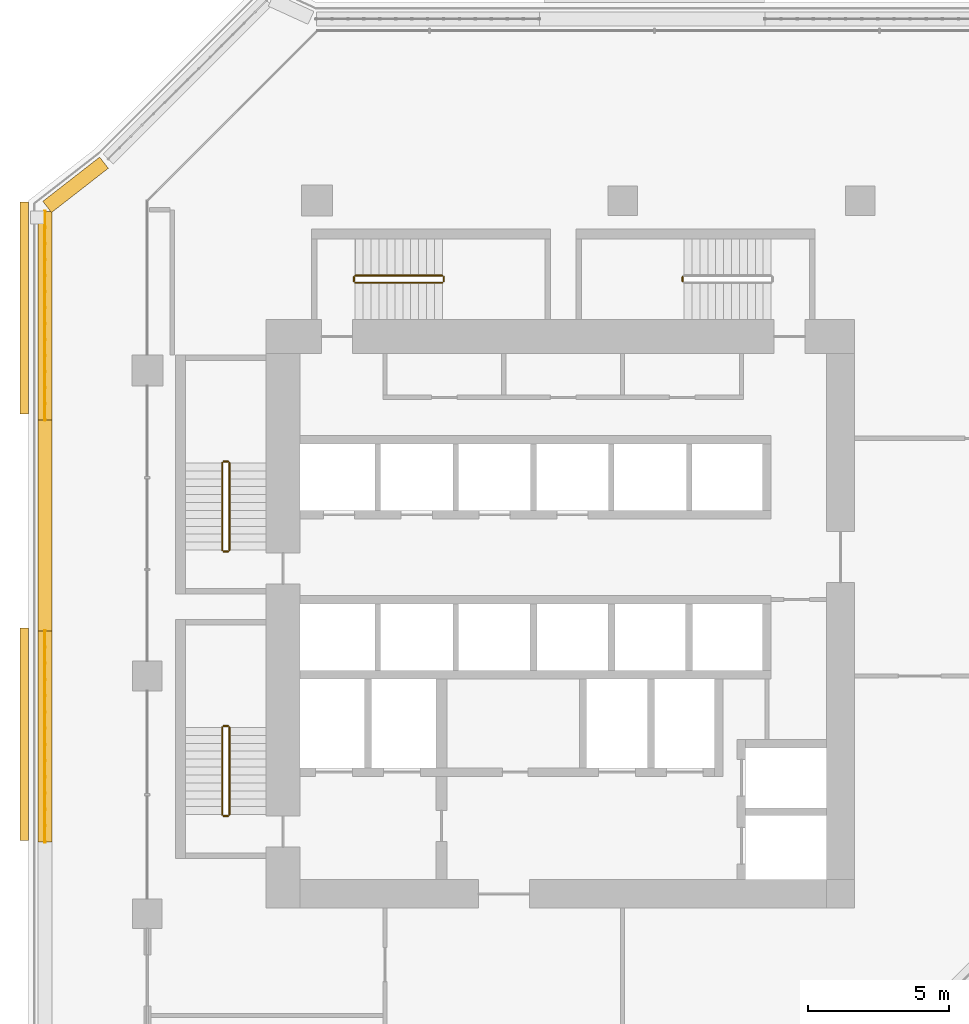
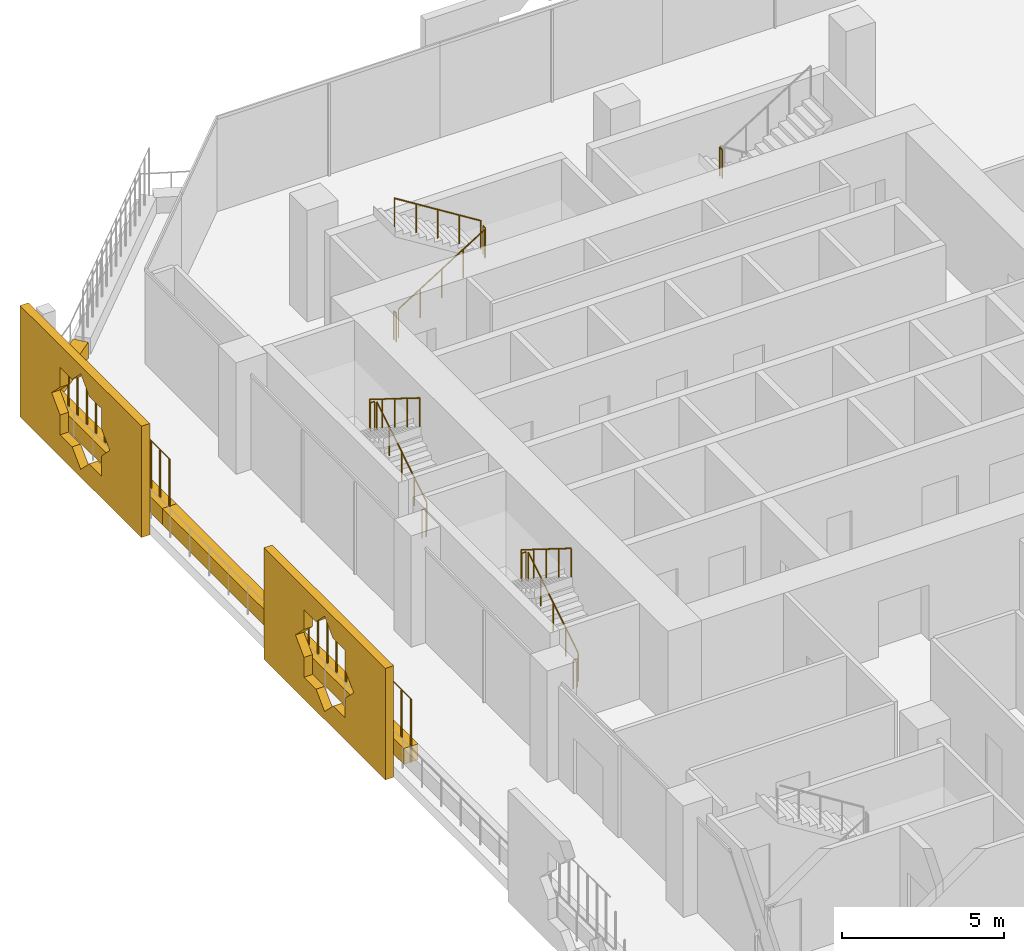
# One storey, part 21 of 25: 15 railings, 6 coverings.
"""IFC4 building model written with IfcOpenShell, lengths in metres."""

import ifcopenshell
import ifcopenshell.guid

model = None  # the IFC model being written
_history = None  # IfcOwnerHistory: only IFC2X3 demands one
_inside = {}  # id of a spatial element -> (the spatial element, [elements in it])
_under = {}  # id of a project, library or spatial element -> (it, [spatial elements below it])
_declared = {}  # id of a project -> (the project, [libraries it declares])
_typed = {}  # id of a type object -> (the type object, [elements of that type])
_made_of = {}  # id of a material, layer set ... -> (it, [elements and type objects made of it])


def new_model(schema):
    """Start an empty IFC model of exactly this schema.

    Asked for "IFC4X3", IfcOpenShell would pick the latest addendum, in which some entities
    have other attributes; the version numbers below select the first issue.
    IFC2X3 requires an IfcOwnerHistory on every rooted entity: one is made here for all.
    """
    global model, _history
    if schema == "IFC4X3":
        model = ifcopenshell.file(schema_version=(4, 3, 0, 0))
    else:
        model = ifcopenshell.file(schema=schema)
    _inside.clear()
    _under.clear()
    _declared.clear()
    _typed.clear()
    _made_of.clear()
    _history = None
    if model.schema == "IFC2X3":
        org = make("IfcOrganization", Name="unknown")
        user = make(
            "IfcPersonAndOrganization",
            ThePerson=make("IfcPerson", FamilyName="unknown"),
            TheOrganization=org,
        )
        app = make(
            "IfcApplication",
            ApplicationDeveloper=org,
            Version="unknown",
            ApplicationFullName="unknown",
            ApplicationIdentifier="unknown",
        )
        _history = make(
            "IfcOwnerHistory",
            OwningUser=user,
            OwningApplication=app,
            ChangeAction="ADDED",
            CreationDate=0,
        )
    return model


def make(cls, **values):
    """One entity of the class cls with the attributes given. An attribute that is None is left unset."""
    return model.create_entity(
        cls, **{name: value for name, value in values.items() if value is not None}
    )


def rooted(cls, **values):
    """An entity with a GlobalId (a new one), such as an element, a storey or a relation."""
    return make(cls, GlobalId=ifcopenshell.guid.new(), OwnerHistory=_history, **values)


def si_unit(unit_type, name, prefix=None):
    """IfcSIUnit, for example si_unit("LENGTHUNIT", "METRE", prefix="MILLI")."""
    return make("IfcSIUnit", UnitType=unit_type, Prefix=prefix, Name=name)


def assignment(units):
    """IfcUnitAssignment: the units of a project."""
    return None if units is None else make("IfcUnitAssignment", Units=units)


def point(xyz):
    """IfcCartesianPoint."""
    return None if xyz is None else make("IfcCartesianPoint", Coordinates=xyz)


def direction(xyz):
    """IfcDirection."""
    return None if xyz is None else make("IfcDirection", DirectionRatios=xyz)


def frame(location, z_axis=None, x_axis=None):
    """IfcAxis2Placement3D, a coordinate frame: its origin and axes. An axis left out is left unset."""
    return make(
        "IfcAxis2Placement3D",
        Location=point(location),
        Axis=direction(z_axis),
        RefDirection=direction(x_axis),
    )


def frame_2d(location, x_axis=None):
    """IfcAxis2Placement2D, a coordinate frame in the plane: its origin and x axis."""
    return make(
        "IfcAxis2Placement2D", Location=point(location), RefDirection=direction(x_axis)
    )


def origin():
    """The frame at (0, 0, 0) with its axes left unset."""
    return frame((0.0, 0.0, 0.0))


def origin_2d():
    """The frame at (0, 0) in the plane with its x axis left unset."""
    return frame_2d((0.0, 0.0))


def place(relative_to, where):
    """IfcLocalPlacement: puts the frame where relative to a parent placement (None: the world)."""
    return make(
        "IfcLocalPlacement", PlacementRelTo=relative_to, RelativePlacement=where
    )


def context(
    kind, dimensions, precision=None, world=None, true_north=None, identifier=None
):
    """IfcGeometricRepresentationContext, for example the 3D "Model" context."""
    return make(
        "IfcGeometricRepresentationContext",
        ContextIdentifier=identifier,
        ContextType=kind,
        CoordinateSpaceDimension=dimensions,
        Precision=precision,
        WorldCoordinateSystem=world,
        TrueNorth=true_north,
    )


def subcontext(parent, identifier, kind, view, scale=None):
    """IfcGeometricRepresentationSubContext, for example "Body" below "Model"."""
    return make(
        "IfcGeometricRepresentationSubContext",
        ContextIdentifier=identifier,
        ContextType=kind,
        ParentContext=parent,
        TargetScale=scale,
        TargetView=view,
    )


def project(units=None, contexts=None):
    """IfcProject with its units and contexts."""
    return rooted(
        "IfcProject",
        Name="project",
        RepresentationContexts=contexts,
        UnitsInContext=assignment(units),
    )


def spatial(cls, under=None, at=None, **own):
    """A site, building, storey or space (cls), placed at a placement, below another one or the project."""
    s = rooted(cls, ObjectPlacement=at, **own)
    if under is not None:
        _under.setdefault(under.id(), (under, []))[1].append(s)
    return s


def polyline(points):
    """IfcPolyline through the points."""
    return make("IfcPolyline", Points=[point(p) for p in points])


def profile(cls, at=None, kind="AREA", **sizes):
    """A parametric profile (cls). Its sizes go by their IFC names, for example OverallWidth=200.0."""
    return make(cls, ProfileType=kind, Position=at, **sizes)


def rectangle(**sizes):
    """IfcRectangleProfileDef."""
    return profile("IfcRectangleProfileDef", **sizes)


def circle(**sizes):
    """IfcCircleProfileDef."""
    return profile("IfcCircleProfileDef", **sizes)


def outline(outer, holes=None, kind="AREA"):
    """IfcArbitraryClosedProfileDef: a profile drawn as a closed curve; with holes, ...WithVoids."""
    if holes is None:
        return make("IfcArbitraryClosedProfileDef", ProfileType=kind, OuterCurve=outer)
    return make(
        "IfcArbitraryProfileDefWithVoids",
        ProfileType=kind,
        OuterCurve=outer,
        InnerCurves=holes,
    )


def extrude(swept, where, along, depth):
    """IfcExtrudedAreaSolid: the profile swept, set in the frame where, extruded along a direction by depth."""
    return make(
        "IfcExtrudedAreaSolid",
        SweptArea=swept,
        Position=where,
        ExtrudedDirection=direction(along),
        Depth=depth,
    )


def shape(context_of_items, identifier, shape_type, items):
    """IfcShapeRepresentation: the items that make up one representation, for example the "Body"."""
    return make(
        "IfcShapeRepresentation",
        ContextOfItems=context_of_items,
        RepresentationIdentifier=identifier,
        RepresentationType=shape_type,
        Items=items,
    )


def material(Name=None, Category=None):
    """IfcMaterial."""
    return make("IfcMaterial", Name=Name, Category=Category)


def material_profile(
    of_material, cross_section, Name=None, Category=None, Priority=None
):
    """IfcMaterialProfile: a cross section and its material."""
    return make(
        "IfcMaterialProfile",
        Name=Name,
        Material=of_material,
        Profile=cross_section,
        Priority=Priority,
        Category=Category,
    )


def profile_set(profiles, Name=None, composite=None):
    """IfcMaterialProfileSet."""
    return make(
        "IfcMaterialProfileSet",
        Name=Name,
        MaterialProfiles=profiles,
        CompositeProfile=composite,
    )


def made_of(thing, what):
    """Note that an element or type object is made of a material, layer set ...; save() writes the relation."""
    if what is not None:
        _made_of.setdefault(what.id(), (what, []))[1].append(thing)
    return thing


def type_object(cls, material=None, **own):
    """A type object (cls), such as IfcWallType, which elements share."""
    return made_of(rooted(cls, **own), material)


def element(
    cls,
    number,
    at=None,
    inside=None,
    cuts=None,
    type_object=None,
    material=None,
    context=None,
    identifier="Body",
    shape_type=None,
    held_by="IfcProductDefinitionShape",
    body=None,
    shapes=None,
    **own,
):
    """One element of the class cls, such as IfcWall. Its Tag is "e" and its number.

    at: its placement. inside: the storey or other place that contains it. cuts: it is an
    opening in that element (IfcRelVoidsElement). A single representation is given by context,
    identifier, shape_type and body (its items); several are given by shapes. held_by: the class
    of the entity that holds the representations. save() writes the other relations.
    """
    e = rooted(cls, Tag="e%d" % number, ObjectPlacement=at, **own)
    if body is not None:
        shapes = [shape(context, identifier, shape_type, body)]
    if shapes is not None:
        e.Representation = make(held_by, Representations=shapes)
    if inside is not None:
        _inside.setdefault(inside.id(), (inside, []))[1].append(e)
    if cuts is not None:
        rooted(
            "IfcRelVoidsElement", RelatingBuildingElement=cuts, RelatedOpeningElement=e
        )
    if type_object is not None:
        _typed.setdefault(type_object.id(), (type_object, []))[1].append(e)
    return made_of(e, material)


def aggregate(whole, parts):
    """IfcRelAggregates: a whole, such as a stair, and the parts it consists of."""
    return rooted("IfcRelAggregates", RelatingObject=whole, RelatedObjects=parts)


def save(model, path):
    """Write the relations noted so far, then the file.

    IfcRelAggregates (storeys below a building ...), IfcRelContainedInSpatialStructure (elements
    in a storey), IfcRelDefinesByType, IfcRelAssociatesMaterial and IfcRelDeclares: one each for
    every whole, place, type object, material and project.
    """
    for whole, parts in _under.values():
        aggregate(whole, parts)
    for where, things in _inside.values():
        rooted(
            "IfcRelContainedInSpatialStructure",
            RelatedElements=things,
            RelatingStructure=where,
        )
    for kind, things in _typed.values():
        rooted("IfcRelDefinesByType", RelatedObjects=things, RelatingType=kind)
    for what, things in _made_of.values():
        rooted("IfcRelAssociatesMaterial", RelatedObjects=things, RelatingMaterial=what)
    for by, libraries in _declared.values():
        rooted("IfcRelDeclares", RelatingContext=by, RelatedDefinitions=libraries)
    model.write(path)


model = new_model("IFC4")

# Units and contexts
model_context = context("Model", 3, precision=1e-05, world=origin(), true_north=direction((0.0, 1.0)))
body_context = subcontext(model_context, "Body", "Model", "MODEL_VIEW")
ifc_project = project(units=[si_unit("LENGTHUNIT", "METRE"), si_unit("AREAUNIT", "SQUARE_METRE"), si_unit("VOLUMEUNIT", "CUBIC_METRE"), si_unit("PLANEANGLEUNIT", "RADIAN"), si_unit("MASSUNIT", "GRAM", prefix="KILO")], contexts=[model_context])

# Site, building, storey
site_placement = place(None, origin())
site = spatial("IfcSite", under=ifc_project, at=site_placement, CompositionType="ELEMENT")
building_placement = place(site_placement, origin())
building = spatial("IfcBuilding", under=site, at=building_placement, Name="Kawkab Arch Medical Tower", CompositionType="ELEMENT")
storey_placement = place(building_placement, frame((0.0, 0.0, 124.0)))
storey = spatial("IfcBuildingStorey", under=building, at=storey_placement, Name="L28", CompositionType="ELEMENT", Elevation=124.0)

# Coverings
ifc_material_1 = material(Name="Bronze anodised aluminium mashrabiya panel, eight-point star pattern", Category="aluminium")
ifc_material_profile_1 = material_profile(ifc_material_1, outline(polyline([(-3.75, -2.10009765625), (3.75, -2.10009765625), (3.75, 2.10009765625), (-3.75, 2.10009765625), (-3.75, -2.10009765625)]), holes=[polyline([(1.800048828125, 0.0), (1.272705078125, 0.527099609375), (1.272705078125, 1.272705078125), (0.527099609375, 1.272705078125), (0.0, 1.800048828125), (-0.527099609375, 1.272705078125), (-1.272705078125, 1.272705078125), (-1.272705078125, 0.527099609375), (-1.800048828125, 0.0), (-1.272705078125, -0.527099609375), (-1.272705078125, -1.272705078125), (-0.527099609375, -1.272705078125), (0.0, -1.800048828125), (0.527099609375, -1.272705078125), (1.272705078125, -1.272705078125), (1.272705078125, -0.527099609375), (1.800048828125, 0.0)])]), Name="Mashrabiya panel 7500x4200")
ifc_profile_set_1 = profile_set([ifc_material_profile_1], Name="Bronze anodised aluminium mashrabiya panel, eight-point star pattern")
covering_type_1 = type_object("IfcCoveringType", Name="Mashrabiya panel 7500 x 4200", PredefinedType="USERDEFINED", material=ifc_profile_set_1)
for number, where, z_axis, x_axis, name in (
    (1, (-4.199951171875, -18.8583984375, 1.699951171875), (-1.0, 0.0, 0.0), (0.0, -1.0, 0.0), "Mashrabiya panel L28.LOG-01-01.4"),
    (2, (-4.199951171875, -3.795654296875, 1.699951171875), (-1.0, 0.0, 0.0), (0.0, -1.0, 0.0), "Mashrabiya panel L28.LOG-01-01.5"),
):
    element("IfcCovering", number, at=place(storey_placement, frame(where, z_axis=z_axis, x_axis=x_axis)), inside=storey, type_object=covering_type_1, Name=name, ObjectType="SCREEN", PredefinedType="USERDEFINED", context=body_context, shape_type="SweptSolid", body=[
        extrude(outline(polyline([(-3.75, -2.10009765625), (3.75, -2.10009765625), (3.75, 2.10009765625), (-3.75, 2.10009765625), (-3.75, -2.10009765625)]), holes=[polyline([(1.800048828125, 0.0), (1.272705078125, 0.527099609375), (1.272705078125, 1.272705078125), (0.527099609375, 1.272705078125), (0.0, 1.800048828125), (-0.527099609375, 1.272705078125), (-1.272705078125, 1.272705078125), (-1.272705078125, 0.527099609375), (-1.800048828125, 0.0), (-1.272705078125, -0.527099609375), (-1.272705078125, -1.272705078125), (-0.527099609375, -1.272705078125), (0.0, -1.800048828125), (0.527099609375, -1.272705078125), (1.272705078125, -1.272705078125), (1.272705078125, -0.527099609375), (1.800048828125, 0.0)])]), origin(), (0.0, 0.0, 1.0), 0.300048828125),
    ])
ifc_material_2 = material(Name="Planting soil in a precast trough", Category="concrete")
ifc_material_profile_2 = material_profile(ifc_material_2, rectangle(XDim=0.5, YDim=0.60009765625, at=origin_2d()), Name="Trough 500x600")
ifc_profile_set_2 = profile_set([ifc_material_profile_2], Name="Planting soil in a precast trough")
covering_type_2 = type_object("IfcCoveringType", Name="Planter trough 500 x 600", PredefinedType="USERDEFINED", material=ifc_profile_set_2)
for number, where, z_axis, x_axis, name in (
    (3, (-3.6201171875, -22.6689453125, 0.300048828125), (0.0, 1.0, 0.0), (-1.0, 0.0, 0.0), "Planter L28.LOG-01-01.11"),
    (4, (-3.6201171875, -15.20703125, 0.300048828125), (0.0, 1.0, 0.0), (-1.0, 0.0, 0.0), "Planter L28.LOG-01-01.12"),
):
    element("IfcCovering", number, at=place(storey_placement, frame(where, z_axis=z_axis, x_axis=x_axis)), inside=storey, type_object=covering_type_2, Name=name, ObjectType="PLANTER", PredefinedType="USERDEFINED", context=body_context, shape_type="SweptSolid", body=[
        extrude(rectangle(XDim=0.5, YDim=0.60009765625, at=origin_2d()), origin(), (0.0, 0.0, 1.0), 7.4619140625),
    ])
covering_1_placement = place(storey_placement, frame((-3.6201171875, -7.7451171875, 0.300048828125), z_axis=(0.0, 1.0, 0.0), x_axis=(-1.0, 0.0, 0.0)))
element("IfcCovering", 5, at=covering_1_placement, inside=storey, type_object=covering_type_2, Name="Planter L28.LOG-01-01.13", ObjectType="PLANTER", PredefinedType="USERDEFINED", context=body_context, shape_type="SweptSolid", body=[
    extrude(rectangle(XDim=0.5, YDim=0.60009765625, at=origin_2d()), origin(), (0.0, 0.0, 1.0), 7.361083984375),
])
covering_2_placement = place(storey_placement, frame((-3.541015625, -0.221923828125, 0.300048828125), z_axis=(0.789274742246, 0.61404021143, 0.0), x_axis=(-0.61404021143, 0.789274742246, 0.0)))
element("IfcCovering", 6, at=covering_2_placement, inside=storey, type_object=covering_type_2, Name="Planter L28.LOG-01-01.14", ObjectType="PLANTER", PredefinedType="USERDEFINED", context=body_context, shape_type="SweptSolid", body=[
    extrude(rectangle(XDim=0.5, YDim=0.60009765625, at=origin_2d()), origin(), (0.0, 0.0, 1.0), 2.54541015625),
])

# Railings
ifc_material_3 = material(Name="Bronze anodised aluminium trellis for climbing plants", Category="aluminium")
railing_type_1 = type_object("IfcRailingType", Name="Planting trellis 2400", PredefinedType="USERDEFINED", material=ifc_material_3)
railing_1_placement = place(storey_placement, frame((-3.6201171875, -22.6689453125, 0.0)))
element("IfcRailing", 7, at=railing_1_placement, inside=storey, type_object=railing_type_1, Name="Planting trellis L28.LOG-01-01.11", ObjectType="TRELLIS", PredefinedType="USERDEFINED", context=body_context, shape_type="SweptSolid", body=[
    extrude(circle(Radius=0.01513671875, at=origin_2d()), frame((0.0, 0.0, 2.384765625), z_axis=(0.0, 1.0, 0.0), x_axis=(-1.0, 0.0, 0.0)), (0.0, 0.0, 1.0), 7.4619140625),
    extrude(circle(Radius=0.030029296875, at=origin_2d()), origin(), (0.0, 0.0, 1.0), 2.369873046875),
    extrude(circle(Radius=0.030029296875, at=origin_2d()), frame((0.0, 0.573974609375, 0.0)), (0.0, 0.0, 1.0), 2.369873046875),
    extrude(circle(Radius=0.030029296875, at=origin_2d()), frame((0.0, 1.14794921875, 0.0)), (0.0, 0.0, 1.0), 2.369873046875),
    extrude(circle(Radius=0.030029296875, at=origin_2d()), frame((0.0, 1.721923828125, 0.0)), (0.0, 0.0, 1.0), 2.369873046875),
    extrude(circle(Radius=0.030029296875, at=origin_2d()), frame((0.0, 2.2958984375, 0.0)), (0.0, 0.0, 1.0), 2.369873046875),
    extrude(circle(Radius=0.030029296875, at=origin_2d()), frame((0.0, 2.869873046875, 0.0)), (0.0, 0.0, 1.0), 2.369873046875),
    extrude(circle(Radius=0.030029296875, at=origin_2d()), frame((0.0, 3.44384765625, 0.0)), (0.0, 0.0, 1.0), 2.369873046875),
    extrude(circle(Radius=0.030029296875, at=origin_2d()), frame((0.0, 4.01806640625, 0.0)), (0.0, 0.0, 1.0), 2.369873046875),
    extrude(circle(Radius=0.030029296875, at=origin_2d()), frame((0.0, 4.592041015625, 0.0)), (0.0, 0.0, 1.0), 2.369873046875),
    extrude(circle(Radius=0.030029296875, at=origin_2d()), frame((0.0, 5.166015625, 0.0)), (0.0, 0.0, 1.0), 2.369873046875),
    extrude(circle(Radius=0.030029296875, at=origin_2d()), frame((0.0, 5.739990234375, 0.0)), (0.0, 0.0, 1.0), 2.369873046875),
    extrude(circle(Radius=0.030029296875, at=origin_2d()), frame((0.0, 6.31396484375, 0.0)), (0.0, 0.0, 1.0), 2.369873046875),
    extrude(circle(Radius=0.030029296875, at=origin_2d()), frame((0.0, 6.887939453125, 0.0)), (0.0, 0.0, 1.0), 2.369873046875),
    extrude(circle(Radius=0.030029296875, at=origin_2d()), frame((0.0, 7.4619140625, 0.0)), (0.0, 0.0, 1.0), 2.369873046875),
])
railing_2_placement = place(storey_placement, frame((-3.6201171875, -7.7451171875, 0.0)))
element("IfcRailing", 8, at=railing_2_placement, inside=storey, type_object=railing_type_1, Name="Planting trellis L28.LOG-01-01.13", ObjectType="TRELLIS", PredefinedType="USERDEFINED", context=body_context, shape_type="SweptSolid", body=[
    extrude(circle(Radius=0.01513671875, at=origin_2d()), frame((0.0, 0.0, 2.384765625), z_axis=(0.0, 1.0, 0.0), x_axis=(-1.0, 0.0, 0.0)), (0.0, 0.0, 1.0), 7.361083984375),
    extrude(circle(Radius=0.030029296875, at=origin_2d()), origin(), (0.0, 0.0, 1.0), 2.369873046875),
    extrude(circle(Radius=0.030029296875, at=origin_2d()), frame((0.0, 0.566162109375, 0.0)), (0.0, 0.0, 1.0), 2.369873046875),
    extrude(circle(Radius=0.030029296875, at=origin_2d()), frame((0.0, 1.132568359375, 0.0)), (0.0, 0.0, 1.0), 2.369873046875),
    extrude(circle(Radius=0.030029296875, at=origin_2d()), frame((0.0, 1.69873046875, 0.0)), (0.0, 0.0, 1.0), 2.369873046875),
    extrude(circle(Radius=0.030029296875, at=origin_2d()), frame((0.0, 2.264892578125, 0.0)), (0.0, 0.0, 1.0), 2.369873046875),
    extrude(circle(Radius=0.030029296875, at=origin_2d()), frame((0.0, 2.831298828125, 0.0)), (0.0, 0.0, 1.0), 2.369873046875),
    extrude(circle(Radius=0.030029296875, at=origin_2d()), frame((0.0, 3.3974609375, 0.0)), (0.0, 0.0, 1.0), 2.369873046875),
    extrude(circle(Radius=0.030029296875, at=origin_2d()), frame((0.0, 3.963623046875, 0.0)), (0.0, 0.0, 1.0), 2.369873046875),
    extrude(circle(Radius=0.030029296875, at=origin_2d()), frame((0.0, 4.52978515625, 0.0)), (0.0, 0.0, 1.0), 2.369873046875),
    extrude(circle(Radius=0.030029296875, at=origin_2d()), frame((0.0, 5.09619140625, 0.0)), (0.0, 0.0, 1.0), 2.369873046875),
    extrude(circle(Radius=0.030029296875, at=origin_2d()), frame((0.0, 5.662353515625, 0.0)), (0.0, 0.0, 1.0), 2.369873046875),
    extrude(circle(Radius=0.030029296875, at=origin_2d()), frame((0.0, 6.228515625, 0.0)), (0.0, 0.0, 1.0), 2.369873046875),
    extrude(circle(Radius=0.030029296875, at=origin_2d()), frame((0.0, 6.794921875, 0.0)), (0.0, 0.0, 1.0), 2.369873046875),
    extrude(circle(Radius=0.030029296875, at=origin_2d()), frame((0.0, 7.361083984375, 0.0)), (0.0, 0.0, 1.0), 2.369873046875),
])
ifc_material_4 = material(Name="Stainless steel", Category="steel")
railing_type_2 = type_object("IfcRailingType", Name="Stair guard 1100", PredefinedType="GUARDRAIL", material=ifc_material_4)
railing_3_placement = place(storey_placement, frame((2.89990234375, -12.35009765625, 0.175048828125)))
element("IfcRailing", 9, at=railing_3_placement, inside=storey, type_object=railing_type_2, Name="L28 ST1 stair guard 1", PredefinedType="GUARDRAIL", context=body_context, shape_type="SweptSolid", body=[
    extrude(circle(Radius=0.02392578125, at=origin_2d()), frame((0.0, 0.0, 1.076171875), z_axis=(0.0, 0.847998304005, 0.529998940003), x_axis=(-1.0, 0.0, 0.0)), (0.0, 0.0, 1.0), 3.632080078125),
    extrude(circle(Radius=0.02099609375, at=origin_2d()), origin(), (0.0, 0.0, 1.0), 1.052001953125),
    extrude(circle(Radius=0.02099609375, at=origin_2d()), frame((0.0, 0.77001953125, 0.481201171875)), (0.0, 0.0, 1.0), 1.052001953125),
    extrude(circle(Radius=0.02099609375, at=origin_2d()), frame((0.0, 1.5400390625, 0.96240234375)), (0.0, 0.0, 1.0), 1.052001953125),
    extrude(circle(Radius=0.02099609375, at=origin_2d()), frame((0.0, 2.31005859375, 1.44384765625)), (0.0, 0.0, 1.0), 1.052001953125),
    extrude(circle(Radius=0.02099609375, at=origin_2d()), frame((0.0, 3.080078125, 1.925048828125)), (0.0, 0.0, 1.0), 1.052001953125),
])
railing_4_placement = place(storey_placement, frame((2.85009765625, -9.219970703125, 2.10009765625)))
element("IfcRailing", 10, at=railing_4_placement, inside=storey, type_object=railing_type_2, Name="L28 ST1 stair guard 2", PredefinedType="GUARDRAIL", context=body_context, shape_type="SweptSolid", body=[
    extrude(circle(Radius=0.02392578125, at=origin_2d()), frame((0.0, 0.0, 1.076171875), z_axis=(-1.0, 0.0, 0.0), x_axis=(0.0, -1.0, 0.0)), (0.0, 0.0, 1.0), 0.150146484375),
    extrude(circle(Radius=0.02099609375, at=origin_2d()), origin(), (0.0, 0.0, 1.0), 1.052001953125),
    extrude(circle(Radius=0.02099609375, at=origin_2d()), frame((-0.150146484375, 0.0, 0.0)), (0.0, 0.0, 1.0), 1.052001953125),
])
railing_5_placement = place(storey_placement, frame((2.64990234375, -9.27001953125, 2.27490234375)))
element("IfcRailing", 11, at=railing_5_placement, inside=storey, type_object=railing_type_2, Name="L28 ST1 stair guard 3", PredefinedType="GUARDRAIL", context=body_context, shape_type="SweptSolid", body=[
    extrude(circle(Radius=0.02392578125, at=origin_2d()), frame((0.0, 0.0, 1.076171875), z_axis=(0.0, -0.847998304005, 0.529998940003), x_axis=(1.0, 0.0, 0.0)), (0.0, 0.0, 1.0), 3.632080078125),
    extrude(circle(Radius=0.02099609375, at=origin_2d()), origin(), (0.0, 0.0, 1.0), 1.052001953125),
    extrude(circle(Radius=0.02099609375, at=origin_2d()), frame((0.0, -0.77001953125, 0.481201171875)), (0.0, 0.0, 1.0), 1.052001953125),
    extrude(circle(Radius=0.02099609375, at=origin_2d()), frame((0.0, -1.5400390625, 0.96240234375)), (0.0, 0.0, 1.0), 1.052001953125),
    extrude(circle(Radius=0.02099609375, at=origin_2d()), frame((0.0, -2.31005859375, 1.44384765625)), (0.0, 0.0, 1.0), 1.052001953125),
    extrude(circle(Radius=0.02099609375, at=origin_2d()), frame((0.0, -3.080078125, 1.925048828125)), (0.0, 0.0, 1.0), 1.052001953125),
])
railing_6_placement = place(storey_placement, frame((2.85009765625, -12.39990234375, 0.0)))
element("IfcRailing", 12, at=railing_6_placement, inside=storey, type_object=railing_type_2, Name="L28 ST1 stair guard 4", PredefinedType="GUARDRAIL", context=body_context, shape_type="SweptSolid", body=[
    extrude(circle(Radius=0.02392578125, at=origin_2d()), frame((0.0, 0.0, 1.076171875), z_axis=(-1.0, 0.0, 0.0), x_axis=(0.0, -1.0, 0.0)), (0.0, 0.0, 1.0), 0.150146484375),
    extrude(circle(Radius=0.02099609375, at=origin_2d()), origin(), (0.0, 0.0, 1.0), 1.052001953125),
    extrude(circle(Radius=0.02099609375, at=origin_2d()), frame((-0.150146484375, 0.0, 0.0)), (0.0, 0.0, 1.0), 1.052001953125),
])
railing_7_placement = place(storey_placement, frame((2.89990234375, -21.699951171875, 0.175048828125)))
element("IfcRailing", 13, at=railing_7_placement, inside=storey, type_object=railing_type_2, Name="L28 ST2 stair guard 1", PredefinedType="GUARDRAIL", context=body_context, shape_type="SweptSolid", body=[
    extrude(circle(Radius=0.02392578125, at=origin_2d()), frame((0.0, 0.0, 1.076171875), z_axis=(0.0, 0.847979421464, 0.530029150871), x_axis=(-1.0, 0.0, 0.0)), (0.0, 0.0, 1.0), 3.632080078125),
    extrude(circle(Radius=0.02099609375, at=origin_2d()), origin(), (0.0, 0.0, 1.0), 1.052001953125),
    extrude(circle(Radius=0.02099609375, at=origin_2d()), frame((0.0, 0.77001953125, 0.481201171875)), (0.0, 0.0, 1.0), 1.052001953125),
    extrude(circle(Radius=0.02099609375, at=origin_2d()), frame((0.0, 1.5400390625, 0.96240234375)), (0.0, 0.0, 1.0), 1.052001953125),
    extrude(circle(Radius=0.02099609375, at=origin_2d()), frame((0.0, 2.309814453125, 1.44384765625)), (0.0, 0.0, 1.0), 1.052001953125),
    extrude(circle(Radius=0.02099609375, at=origin_2d()), frame((0.0, 3.079833984375, 1.925048828125)), (0.0, 0.0, 1.0), 1.052001953125),
])
railing_8_placement = place(storey_placement, frame((2.85009765625, -18.570068359375, 2.10009765625)))
element("IfcRailing", 14, at=railing_8_placement, inside=storey, type_object=railing_type_2, Name="L28 ST2 stair guard 2", PredefinedType="GUARDRAIL", context=body_context, shape_type="SweptSolid", body=[
    extrude(circle(Radius=0.02392578125, at=origin_2d()), frame((0.0, 0.0, 1.076171875), z_axis=(-1.0, 0.0, 0.0), x_axis=(0.0, -1.0, 0.0)), (0.0, 0.0, 1.0), 0.150146484375),
    extrude(circle(Radius=0.02099609375, at=origin_2d()), origin(), (0.0, 0.0, 1.0), 1.052001953125),
    extrude(circle(Radius=0.02099609375, at=origin_2d()), frame((-0.150146484375, 0.0, 0.0)), (0.0, 0.0, 1.0), 1.052001953125),
])
railing_9_placement = place(storey_placement, frame((2.64990234375, -18.6201171875, 2.27490234375)))
element("IfcRailing", 15, at=railing_9_placement, inside=storey, type_object=railing_type_2, Name="L28 ST2 stair guard 3", PredefinedType="GUARDRAIL", context=body_context, shape_type="SweptSolid", body=[
    extrude(circle(Radius=0.02392578125, at=origin_2d()), frame((0.0, 0.0, 1.076171875), z_axis=(0.0, -0.847979421464, 0.530029150871), x_axis=(1.0, 0.0, 0.0)), (0.0, 0.0, 1.0), 3.632080078125),
    extrude(circle(Radius=0.02099609375, at=origin_2d()), origin(), (0.0, 0.0, 1.0), 1.052001953125),
    extrude(circle(Radius=0.02099609375, at=origin_2d()), frame((0.0, -0.77001953125, 0.481201171875)), (0.0, 0.0, 1.0), 1.052001953125),
    extrude(circle(Radius=0.02099609375, at=origin_2d()), frame((0.0, -1.5400390625, 0.96240234375)), (0.0, 0.0, 1.0), 1.052001953125),
    extrude(circle(Radius=0.02099609375, at=origin_2d()), frame((0.0, -2.309814453125, 1.44384765625)), (0.0, 0.0, 1.0), 1.052001953125),
    extrude(circle(Radius=0.02099609375, at=origin_2d()), frame((0.0, -3.079833984375, 1.925048828125)), (0.0, 0.0, 1.0), 1.052001953125),
])
railing_10_placement = place(storey_placement, frame((2.85009765625, -21.75, 0.0)))
element("IfcRailing", 16, at=railing_10_placement, inside=storey, type_object=railing_type_2, Name="L28 ST2 stair guard 4", PredefinedType="GUARDRAIL", context=body_context, shape_type="SweptSolid", body=[
    extrude(circle(Radius=0.02392578125, at=origin_2d()), frame((0.0, 0.0, 1.076171875), z_axis=(-1.0, 0.0, 0.0), x_axis=(0.0, -1.0, 0.0)), (0.0, 0.0, 1.0), 0.150146484375),
    extrude(circle(Radius=0.02099609375, at=origin_2d()), origin(), (0.0, 0.0, 1.0), 1.052001953125),
    extrude(circle(Radius=0.02099609375, at=origin_2d()), frame((-0.150146484375, 0.0, 0.0)), (0.0, 0.0, 1.0), 1.052001953125),
])
railing_11_placement = place(storey_placement, frame((7.35009765625, -2.89990234375, 0.175048828125)))
element("IfcRailing", 17, at=railing_11_placement, inside=storey, type_object=railing_type_2, Name="L28 ST3 stair guard 1", PredefinedType="GUARDRAIL", context=body_context, shape_type="SweptSolid", body=[
    extrude(circle(Radius=0.02392578125, at=origin_2d()), frame((0.0, 0.0, 1.076171875), z_axis=(0.847979421464, 0.0, 0.530029150871), x_axis=(0.0, 1.0, 0.0)), (0.0, 0.0, 1.0), 3.632080078125),
    extrude(circle(Radius=0.02099609375, at=origin_2d()), origin(), (0.0, 0.0, 1.0), 1.052001953125),
    extrude(circle(Radius=0.02099609375, at=origin_2d()), frame((0.77001953125, 0.0, 0.481201171875)), (0.0, 0.0, 1.0), 1.052001953125),
    extrude(circle(Radius=0.02099609375, at=origin_2d()), frame((1.5400390625, 0.0, 0.96240234375)), (0.0, 0.0, 1.0), 1.052001953125),
    extrude(circle(Radius=0.02099609375, at=origin_2d()), frame((2.309814453125, 0.0, 1.44384765625)), (0.0, 0.0, 1.0), 1.052001953125),
    extrude(circle(Radius=0.02099609375, at=origin_2d()), frame((3.079833984375, 0.0, 1.925048828125)), (0.0, 0.0, 1.0), 1.052001953125),
])
railing_12_placement = place(storey_placement, frame((10.47998046875, -2.85009765625, 2.10009765625)))
element("IfcRailing", 18, at=railing_12_placement, inside=storey, type_object=railing_type_2, Name="L28 ST3 stair guard 2", PredefinedType="GUARDRAIL", context=body_context, shape_type="SweptSolid", body=[
    extrude(circle(Radius=0.02392578125, at=origin_2d()), frame((0.0, 0.0, 1.076171875), z_axis=(0.0, 1.0, 0.0), x_axis=(-1.0, 0.0, 0.0)), (0.0, 0.0, 1.0), 0.150146484375),
    extrude(circle(Radius=0.02099609375, at=origin_2d()), origin(), (0.0, 0.0, 1.0), 1.052001953125),
    extrude(circle(Radius=0.02099609375, at=origin_2d()), frame((0.0, 0.150146484375, 0.0)), (0.0, 0.0, 1.0), 1.052001953125),
])
railing_13_placement = place(storey_placement, frame((10.429931640625, -2.64990234375, 2.27490234375)))
element("IfcRailing", 19, at=railing_13_placement, inside=storey, type_object=railing_type_2, Name="L28 ST3 stair guard 3", PredefinedType="GUARDRAIL", context=body_context, shape_type="SweptSolid", body=[
    extrude(circle(Radius=0.02392578125, at=origin_2d()), frame((0.0, 0.0, 1.076171875), z_axis=(-0.847979421464, 0.0, 0.530029150871), x_axis=(0.0, -1.0, 0.0)), (0.0, 0.0, 1.0), 3.632080078125),
    extrude(circle(Radius=0.02099609375, at=origin_2d()), origin(), (0.0, 0.0, 1.0), 1.052001953125),
    extrude(circle(Radius=0.02099609375, at=origin_2d()), frame((-0.77001953125, 0.0, 0.481201171875)), (0.0, 0.0, 1.0), 1.052001953125),
    extrude(circle(Radius=0.02099609375, at=origin_2d()), frame((-1.5400390625, 0.0, 0.96240234375)), (0.0, 0.0, 1.0), 1.052001953125),
    extrude(circle(Radius=0.02099609375, at=origin_2d()), frame((-2.309814453125, 0.0, 1.44384765625)), (0.0, 0.0, 1.0), 1.052001953125),
    extrude(circle(Radius=0.02099609375, at=origin_2d()), frame((-3.079833984375, 0.0, 1.925048828125)), (0.0, 0.0, 1.0), 1.052001953125),
])
railing_14_placement = place(storey_placement, frame((7.300048828125, -2.85009765625, 0.0)))
element("IfcRailing", 20, at=railing_14_placement, inside=storey, type_object=railing_type_2, Name="L28 ST3 stair guard 4", PredefinedType="GUARDRAIL", context=body_context, shape_type="SweptSolid", body=[
    extrude(circle(Radius=0.02392578125, at=origin_2d()), frame((0.0, 0.0, 1.076171875), z_axis=(0.0, 1.0, 0.0), x_axis=(-1.0, 0.0, 0.0)), (0.0, 0.0, 1.0), 0.150146484375),
    extrude(circle(Radius=0.02099609375, at=origin_2d()), origin(), (0.0, 0.0, 1.0), 1.052001953125),
    extrude(circle(Radius=0.02099609375, at=origin_2d()), frame((0.0, 0.150146484375, 0.0)), (0.0, 0.0, 1.0), 1.052001953125),
])
railing_15_placement = place(storey_placement, frame((18.919921875, -2.699951171875, 2.10009765625)))
element("IfcRailing", 21, at=railing_15_placement, inside=storey, type_object=railing_type_2, Name="L28 ST4 stair guard 2", PredefinedType="GUARDRAIL", context=body_context, shape_type="SweptSolid", body=[
    extrude(circle(Radius=0.02392578125, at=origin_2d()), frame((0.0, 0.0, 1.076171875), z_axis=(0.0, -1.0, 0.0), x_axis=(1.0, 0.0, 0.0)), (0.0, 0.0, 1.0), 0.150146484375),
    extrude(circle(Radius=0.02099609375, at=origin_2d()), origin(), (0.0, 0.0, 1.0), 1.052001953125),
    extrude(circle(Radius=0.02099609375, at=origin_2d()), frame((0.0, -0.150146484375, 0.0)), (0.0, 0.0, 1.0), 1.052001953125),
])

save(model, "model.ifc")
